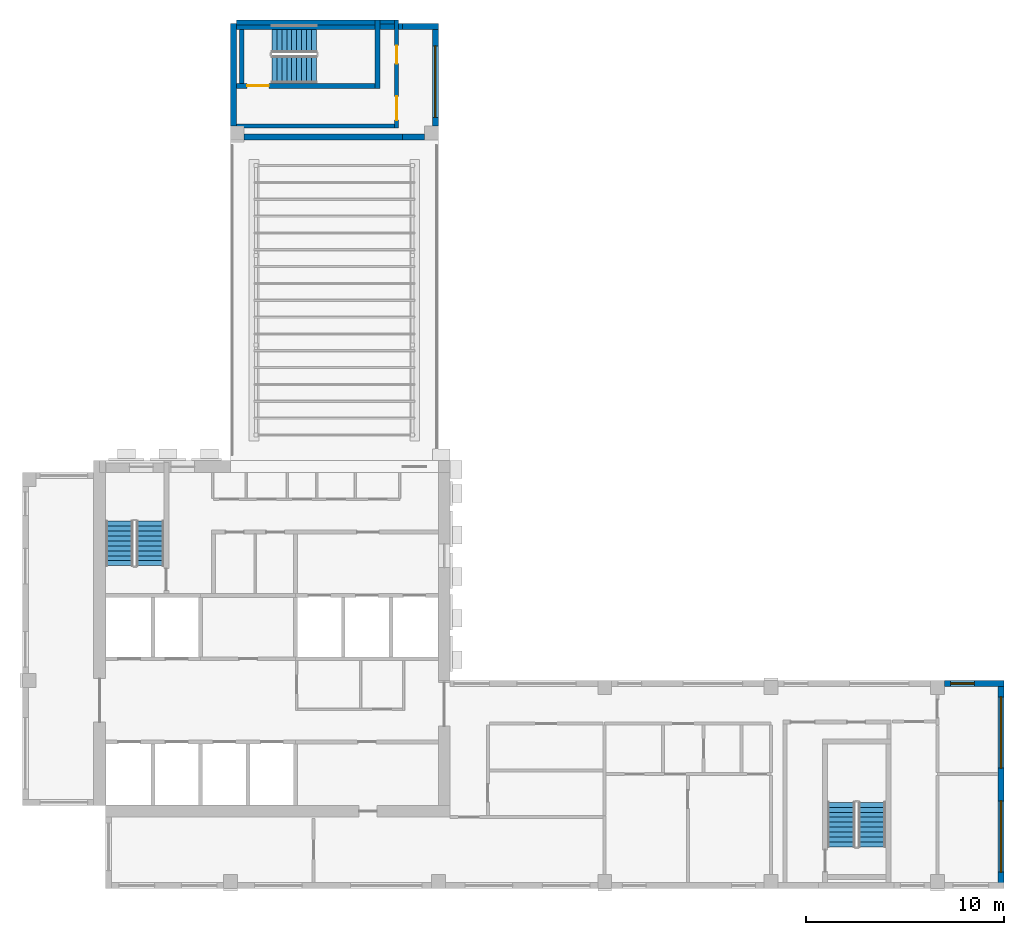
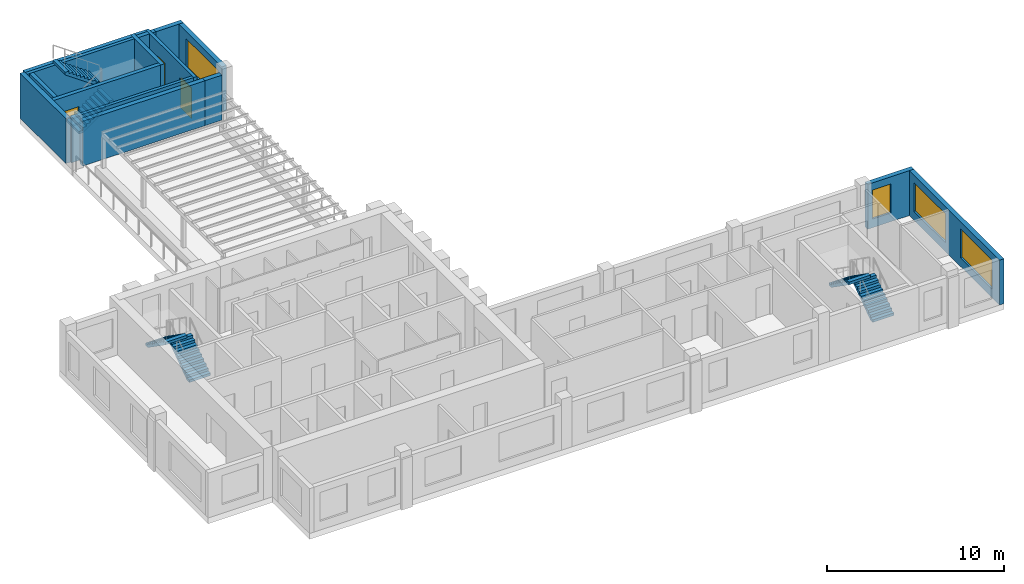
# One storey, part 5 of 9: 15 walls, 6 stair flights, 4 windows, 3 doors, 7 openings, 3 elements without a shape of their own.
"""IFC4 building model written with IfcOpenShell, lengths in metres."""

from ifc_helpers import new_model, si_unit, direction, frame, frame_2d, origin, place, context, subcontext, project, spatial, polyline, rectangle, outline, extrude, source, transform, mapped, material, layer, layer_set, type_object, element, fill, aggregate, save


model = new_model("IFC4")

# Units and contexts
model_context = context("Model", 3, precision=1e-05, world=origin(), true_north=direction((0.0, 1.0)))
body_context = subcontext(model_context, "Body", "Model", "MODEL_VIEW")
ifc_project = project(units=[si_unit("LENGTHUNIT", "METRE"), si_unit("AREAUNIT", "SQUARE_METRE"), si_unit("VOLUMEUNIT", "CUBIC_METRE"), si_unit("PLANEANGLEUNIT", "RADIAN"), si_unit("MASSUNIT", "GRAM", prefix="KILO")], contexts=[model_context])

# Site, building, storey
site_placement = place(None, origin())
site = spatial("IfcSite", under=ifc_project, at=site_placement, CompositionType="ELEMENT")
building_placement = place(site_placement, origin())
building = spatial("IfcBuilding", under=site, at=building_placement, Name="Aurelian Terraces", CompositionType="ELEMENT")
storey_placement = place(building_placement, frame((0.0, 0.0, 309.0)))
storey = spatial("IfcBuildingStorey", under=building, at=storey_placement, Name="L71", CompositionType="ELEMENT", Elevation=309.0)

# Wall
ifc_material_1 = material(Name="Terracotta rainscreen cladding", Category="masonry")
ifc_layer_1 = layer(ifc_material_1, 0.3)
ifc_layer_set_1 = layer_set([ifc_layer_1], Name="EW-300")
wall_type_1 = type_object("IfcWallType", Name="EW-300", PredefinedType="STANDARD", material=ifc_layer_set_1)
wall_1_placement = place(storey_placement, frame((19.2, 37.95, 0.0), z_axis=(0.0, 0.0, 1.0), x_axis=(1.0, 0.0, 0.0)))
element("IfcWall", 1, at=wall_1_placement, inside=storey, type_object=wall_type_1, Name="External wall L71 F15.21", PredefinedType="STANDARD", context=body_context, shape_type="SweptSolid", body=[
    extrude(rectangle(XDim=1.1, YDim=0.3, at=frame_2d((0.55, 0.0))), origin(), (0.0, 0.0, 1.0), 3.1),
])

# Wall, opening, window
wall_2_placement = place(storey_placement, frame((20.85, 38.5, 0.0), z_axis=(0.0, 0.0, 1.0), x_axis=(0.0, 1.0, 0.0)))
wall_2 = element("IfcWall", 2, at=wall_2_placement, inside=storey, type_object=wall_type_1, Name="External wall L71 F16.22", PredefinedType="STANDARD", context=body_context, shape_type="SweptSolid", body=[
    extrude(rectangle(XDim=5.18, YDim=0.3, at=frame_2d((2.59, 0.0))), origin(), (0.0, 0.0, 1.0), 3.1),
])
shared_shape_1 = source(origin(), body_context, "Body", "SweptSolid", [
    extrude(rectangle(XDim=3.6, YDim=2.0, at=frame_2d((1.8, 1.0))), frame((0.0, 0.16, 0.0), z_axis=(0.0, -1.0, 0.0), x_axis=(1.0, 0.0, 0.0)), (0.0, 0.0, 1.0), 0.32),
])
opening_1_placement = place(wall_2_placement, frame((0.44, 0.0, 0.6)))
opening_1 = element("IfcOpeningElement", 3, at=opening_1_placement, cuts=wall_2, Name="Opening W3620", PredefinedType="OPENING", context=body_context, shape_type="MappedRepresentation", body=[
    mapped(shared_shape_1, transform((0.0, 0.0, 0.0), scale=1.0)),
])
ifc_material_2 = material(Name="Clear glazing", Category="glass")
window_type_1 = type_object("IfcWindowType", Name="W-3600x2000", PartitioningType="SINGLE_PANEL", PredefinedType="WINDOW", material=ifc_material_2)
shared_shape_2 = source(origin(), body_context, "Body", "SweptSolid", [
    extrude(rectangle(XDim=3.6, YDim=2.0, at=frame_2d((1.8, 1.0))), frame((0.0, 0.03, 0.0), z_axis=(0.0, -1.0, 0.0), x_axis=(1.0, 0.0, 0.0)), (0.0, 0.0, 1.0), 0.06),
])
window_1_placement = place(opening_1_placement, origin())
window_1 = element("IfcWindow", 4, at=window_1_placement, inside=storey, type_object=window_type_1, Name="Window L71 L71-F16-22-0", OverallHeight=2.0, OverallWidth=3.6, PartitioningType="SINGLE_PANEL", PredefinedType="WINDOW", context=body_context, shape_type="MappedRepresentation", body=[
    mapped(shared_shape_2, transform((0.0, 0.0, 0.0), scale=1.0)),
])
fill(opening_1, window_1)

# Walls
ifc_material_3 = material(Name="Concrete fc' 40 MPa", Category="concrete")
ifc_layer_2 = layer(ifc_material_3, 0.3)
ifc_layer_set_2 = layer_set([ifc_layer_2], Name="STAIR BAY WALL 300")
wall_type_2 = type_object("IfcWallType", Name="STAIR BAY WALL 300", PredefinedType="SOLIDWALL", material=ifc_layer_set_2)
wall_3_placement = place(storey_placement, frame((11.2, 37.95, 0.0), z_axis=(0.0, 0.0, 1.0), x_axis=(1.0, 0.0, 0.0)))
element("IfcWall", 5, at=wall_3_placement, inside=storey, type_object=wall_type_2, Name="Stair bay wall L71 F15.21", PredefinedType="SOLIDWALL", context=body_context, shape_type="SweptSolid", body=[
    extrude(rectangle(XDim=8.0, YDim=0.3, at=frame_2d((4.0, 0.0))), origin(), (0.0, 0.0, 1.0), 3.1),
])
wall_4_placement = place(storey_placement, frame((10.65, 43.68, 0.0), z_axis=(0.0, 0.0, 1.0), x_axis=(0.0, -1.0, 0.0)))
element("IfcWall", 6, at=wall_4_placement, inside=storey, type_object=wall_type_2, Name="Stair bay wall L71 F18.24", PredefinedType="SOLIDWALL", context=body_context, shape_type="SweptSolid", body=[
    extrude(rectangle(XDim=5.18, YDim=0.3, at=frame_2d((2.59, 0.0))), origin(), (0.0, 0.0, 1.0), 3.1),
])

# Wall, opening, window
shared_shape_3 = source(origin(), body_context, "Body", "SweptSolid", [
    extrude(rectangle(XDim=3.01, YDim=0.3, at=frame_2d((1.505, 0.0))), origin(), (0.0, 0.0, 1.0), 3.1),
])
wall_5_placement = place(storey_placement, frame((49.56, 10.35, 0.0), z_axis=(0.0, 0.0, 1.0), x_axis=(-1.0, 0.0, 0.0)))
wall_5 = element("IfcWall", 7, at=wall_5_placement, inside=storey, type_object=wall_type_1, Name="External wall L71 F03.8", PredefinedType="STANDARD", context=body_context, shape_type="MappedRepresentation", body=[
    mapped(shared_shape_3, transform((0.0, 0.0, 0.0), scale=1.0)),
])
shared_shape_4 = source(origin(), body_context, "Body", "SweptSolid", [
    extrude(rectangle(XDim=1.2, YDim=2.0, at=frame_2d((0.6, 1.0))), frame((0.0, 0.16, 0.0), z_axis=(0.0, -1.0, 0.0), x_axis=(1.0, 0.0, 0.0)), (0.0, 0.0, 1.0), 0.32),
])
opening_2_placement = place(wall_5_placement, frame((1.5, 0.0, 0.6)))
opening_2 = element("IfcOpeningElement", 8, at=opening_2_placement, cuts=wall_5, Name="Opening W1220", PredefinedType="OPENING", context=body_context, shape_type="MappedRepresentation", body=[
    mapped(shared_shape_4, transform((0.0, 0.0, 0.0), scale=1.0)),
])
window_type_2 = type_object("IfcWindowType", Name="W-1200x2000", PartitioningType="SINGLE_PANEL", PredefinedType="WINDOW", material=ifc_material_2)
shared_shape_5 = source(origin(), body_context, "Body", "SweptSolid", [
    extrude(rectangle(XDim=1.2, YDim=2.0, at=frame_2d((0.6, 1.0))), frame((0.0, 0.03, 0.0), z_axis=(0.0, -1.0, 0.0), x_axis=(1.0, 0.0, 0.0)), (0.0, 0.0, 1.0), 0.06),
])
window_2_placement = place(opening_2_placement, origin())
window_2 = element("IfcWindow", 9, at=window_2_placement, inside=storey, type_object=window_type_2, Name="Window L71 L71-F03-08-0", OverallHeight=2.0, OverallWidth=1.2, PartitioningType="SINGLE_PANEL", PredefinedType="WINDOW", context=body_context, shape_type="MappedRepresentation", body=[
    mapped(shared_shape_5, transform((0.0, 0.0, 0.0), scale=1.0)),
])
fill(opening_2, window_2)

# Wall, openings, windows
shared_shape_6 = source(origin(), body_context, "Body", "SweptSolid", [
    extrude(rectangle(XDim=10.5, YDim=0.3, at=frame_2d((5.25, 0.0))), origin(), (0.0, 0.0, 1.0), 3.1),
])
wall_6_placement = place(storey_placement, frame((49.41, 0.0, 0.0), z_axis=(0.0, 0.0, 1.0), x_axis=(0.0, 1.0, 0.0)))
wall_6 = element("IfcWall", 10, at=wall_6_placement, inside=storey, type_object=wall_type_1, Name="External wall L71 F02.7", PredefinedType="STANDARD", context=body_context, shape_type="MappedRepresentation", body=[
    mapped(shared_shape_6, transform((0.0, 0.0, 0.0), scale=1.0)),
])
opening_3_placement = place(wall_6_placement, frame((0.825, 0.0, 0.6)))
opening_3 = element("IfcOpeningElement", 11, at=opening_3_placement, cuts=wall_6, Name="Opening W3620", PredefinedType="OPENING", context=body_context, shape_type="MappedRepresentation", body=[
    mapped(shared_shape_1, transform((0.0, 0.0, 0.0), scale=1.0)),
])
opening_4_placement = place(wall_6_placement, frame((6.075, 0.0, 0.6)))
opening_4 = element("IfcOpeningElement", 12, at=opening_4_placement, cuts=wall_6, Name="Opening W3620", PredefinedType="OPENING", context=body_context, shape_type="MappedRepresentation", body=[
    mapped(shared_shape_1, transform((0.0, 0.0, 0.0), scale=1.0)),
])
window_3_placement = place(opening_3_placement, origin())
window_3 = element("IfcWindow", 13, at=window_3_placement, inside=storey, type_object=window_type_1, Name="Window L71 L71-F02-07-0", OverallHeight=2.0, OverallWidth=3.6, PartitioningType="SINGLE_PANEL", PredefinedType="WINDOW", context=body_context, shape_type="MappedRepresentation", body=[
    mapped(shared_shape_2, transform((0.0, 0.0, 0.0), scale=1.0)),
])
fill(opening_3, window_3)
window_4_placement = place(opening_4_placement, origin())
window_4 = element("IfcWindow", 14, at=window_4_placement, inside=storey, type_object=window_type_1, Name="Window L71 L71-F02-07-1", OverallHeight=2.0, OverallWidth=3.6, PartitioningType="SINGLE_PANEL", PredefinedType="WINDOW", context=body_context, shape_type="MappedRepresentation", body=[
    mapped(shared_shape_2, transform((0.0, 0.0, 0.0), scale=1.0)),
])
fill(opening_4, window_4)

# Walls
shared_shape_7 = source(origin(), body_context, "Body", "SweptSolid", [
    extrude(rectangle(XDim=1.8, YDim=0.3, at=frame_2d((0.9, 0.0))), origin(), (0.0, 0.0, 1.0), 3.1),
])
wall_7_placement = place(storey_placement, frame((21.0, 43.53, 0.0), z_axis=(0.0, 0.0, 1.0), x_axis=(-1.0, 0.0, 0.0)))
element("IfcWall", 15, at=wall_7_placement, inside=storey, type_object=wall_type_1, Name="External wall L71 F17.23", PredefinedType="STANDARD", context=body_context, shape_type="MappedRepresentation", body=[
    mapped(shared_shape_7, transform((0.0, 0.0, 0.0), scale=1.0)),
])
shared_shape_8 = source(origin(), body_context, "Body", "SweptSolid", [
    extrude(rectangle(XDim=8.6, YDim=0.3, at=frame_2d((4.3, 0.0))), origin(), (0.0, 0.0, 1.0), 3.1),
])
wall_8_placement = place(storey_placement, frame((19.2, 43.53, 0.0), z_axis=(0.0, 0.0, 1.0), x_axis=(-1.0, 0.0, 0.0)))
element("IfcWall", 16, at=wall_8_placement, inside=storey, type_object=wall_type_2, Name="Stair bay wall L71 F17.23", PredefinedType="SOLIDWALL", context=body_context, shape_type="MappedRepresentation", body=[
    mapped(shared_shape_8, transform((0.0, 0.0, 0.0), scale=1.0)),
])

# Wall, opening, door
ifc_layer_3 = layer(ifc_material_3, 0.25)
ifc_layer_set_3 = layer_set([ifc_layer_3], Name="Stair enclosure wall 250")
wall_type_3 = type_object("IfcWallType", Name="Stair enclosure wall 250", PredefinedType="SOLIDWALL", material=ifc_layer_set_3)
shared_shape_9 = source(origin(), body_context, "Body", "SweptSolid", [
    extrude(rectangle(XDim=7.0, YDim=0.25, at=frame_2d((3.5, 0.0))), origin(), (0.0, 0.0, 1.0), 3.1),
])
wall_9_placement = place(storey_placement, frame((10.8, 40.525, 0.0), z_axis=(0.0, 0.0, 1.0), x_axis=(1.0, 0.0, 0.0)))
wall_9 = element("IfcWall", 17, at=wall_9_placement, inside=storey, type_object=wall_type_3, Name="L71 core wall ST-S3U-W", PredefinedType="SOLIDWALL", context=body_context, shape_type="MappedRepresentation", body=[
    mapped(shared_shape_9, transform((0.0, 0.0, 0.0), scale=1.0)),
])
shared_shape_10 = source(origin(), body_context, "Body", "SweptSolid", [
    extrude(rectangle(XDim=1.1, YDim=2.1, at=frame_2d((0.55, 1.05))), frame((0.0, 0.135, 0.0), z_axis=(0.0, -1.0, 0.0), x_axis=(1.0, 0.0, 0.0)), (0.0, 0.0, 1.0), 0.27),
])
opening_5_placement = place(wall_9_placement, frame((0.55, 0.0, 0.0)))
opening_5 = element("IfcOpeningElement", 18, at=opening_5_placement, cuts=wall_9, Name="Opening 67425", PredefinedType="OPENING", context=body_context, shape_type="MappedRepresentation", body=[
    mapped(shared_shape_10, transform((0.0, 0.0, 0.0), scale=1.0)),
])
ifc_material_4 = material(Name="Steel door leaf", Category="steel")
door_type_1 = type_object("IfcDoorType", Name="Core fire door 1100x2100 right", OperationType="SINGLE_SWING_RIGHT", PredefinedType="DOOR", material=ifc_material_4)
shared_shape_11 = source(origin(), body_context, "Body", "SweptSolid", [
    extrude(rectangle(XDim=1.1, YDim=2.1, at=frame_2d((0.55, 1.05))), frame((0.0, 0.025, 0.0), z_axis=(0.0, -1.0, 0.0), x_axis=(1.0, 0.0, 0.0)), (0.0, 0.0, 1.0), 0.05),
])
door_1_placement = place(opening_5_placement, origin())
door_1 = element("IfcDoor", 19, at=door_1_placement, inside=storey, type_object=door_type_1, Name="Stair door 67425", OperationType="SINGLE_SWING_RIGHT", OverallHeight=2.1, OverallWidth=1.1, PredefinedType="DOOR", context=body_context, shape_type="MappedRepresentation", body=[
    mapped(shared_shape_11, transform((0.0, 0.0, 0.0), scale=1.0)),
])
fill(opening_5, door_1)

# Walls
wall_10_placement = place(storey_placement, frame((10.8, 43.725, 0.0), z_axis=(0.0, 0.0, 1.0), x_axis=(1.0, 0.0, 0.0)))
element("IfcWall", 20, at=wall_10_placement, inside=storey, type_object=wall_type_3, Name="L71 core wall ST-S3U-E", PredefinedType="SOLIDWALL", context=body_context, shape_type="MappedRepresentation", body=[
    mapped(shared_shape_9, transform((0.0, 0.0, 0.0), scale=1.0)),
])
shared_shape_12 = source(origin(), body_context, "Body", "SweptSolid", [
    extrude(rectangle(XDim=3.45, YDim=0.25, at=frame_2d((1.725, 0.0))), origin(), (0.0, 0.0, 1.0), 3.1),
])
wall_11_placement = place(storey_placement, frame((17.925, 40.4, 0.0), z_axis=(0.0, 0.0, 1.0), x_axis=(0.0, 1.0, 0.0)))
element("IfcWall", 21, at=wall_11_placement, inside=storey, type_object=wall_type_3, Name="L71 core wall ST-S3U-N", PredefinedType="SOLIDWALL", context=body_context, shape_type="MappedRepresentation", body=[
    mapped(shared_shape_12, transform((0.0, 0.0, 0.0), scale=1.0)),
])
ifc_material_5 = material(Name="Gypsum board on steel studs", Category="steel")
ifc_layer_4 = layer(ifc_material_5, 0.2)
ifc_layer_set_4 = layer_set([ifc_layer_4], Name="Core partition 200")
wall_type_4 = type_object("IfcWallType", Name="Core partition 200", PredefinedType="PARTITIONING", material=ifc_layer_set_4)
shared_shape_13 = source(origin(), body_context, "Body", "SweptSolid", [
    extrude(rectangle(XDim=8.0, YDim=0.2, at=frame_2d((4.0, 0.0))), origin(), (0.0, 0.0, 1.0), 3.1),
])
wall_12_placement = place(storey_placement, frame((10.8, 38.5, 0.0), z_axis=(0.0, 0.0, 1.0), x_axis=(1.0, 0.0, 0.0)))
element("IfcWall", 22, at=wall_12_placement, inside=storey, type_object=wall_type_4, Name="L71 core wall ST-S3U-VW", PredefinedType="PARTITIONING", context=body_context, shape_type="MappedRepresentation", body=[
    mapped(shared_shape_13, transform((0.0, 0.0, 0.0), scale=1.0)),
])

# Wall, openings, doors
shared_shape_14 = source(origin(), body_context, "Body", "SweptSolid", [
    extrude(rectangle(XDim=5.45, YDim=0.2, at=frame_2d((2.725, 0.0))), origin(), (0.0, 0.0, 1.0), 3.1),
])
wall_13_placement = place(storey_placement, frame((18.9, 38.4, 0.0), z_axis=(0.0, 0.0, 1.0), x_axis=(0.0, 1.0, 0.0)))
wall_13 = element("IfcWall", 23, at=wall_13_placement, inside=storey, type_object=wall_type_4, Name="L71 core wall ST-S3U-BN", PredefinedType="PARTITIONING", context=body_context, shape_type="MappedRepresentation", body=[
    mapped(shared_shape_14, transform((0.0, 0.0, 0.0), scale=1.0)),
])
shared_shape_15 = source(origin(), body_context, "Body", "SweptSolid", [
    extrude(rectangle(XDim=1.2, YDim=2.1, at=frame_2d((0.6, 1.05))), frame((0.0, 0.11, 0.0), z_axis=(0.0, -1.0, 0.0), x_axis=(1.0, 0.0, 0.0)), (0.0, 0.0, 1.0), 0.22),
])
opening_6_placement = place(wall_13_placement, frame((0.4, 0.0, 0.0)))
opening_6 = element("IfcOpeningElement", 24, at=opening_6_placement, cuts=wall_13, Name="Opening 67426", PredefinedType="OPENING", context=body_context, shape_type="MappedRepresentation", body=[
    mapped(shared_shape_15, transform((0.0, 0.0, 0.0), scale=1.0)),
])
shared_shape_16 = source(origin(), body_context, "Body", "SweptSolid", [
    extrude(rectangle(XDim=0.9, YDim=2.1, at=frame_2d((0.45, 1.05))), frame((0.0, 0.11, 0.0), z_axis=(0.0, -1.0, 0.0), x_axis=(1.0, 0.0, 0.0)), (0.0, 0.0, 1.0), 0.22),
])
opening_7_placement = place(wall_13_placement, frame((3.25, 0.0, 0.0)))
opening_7 = element("IfcOpeningElement", 25, at=opening_7_placement, cuts=wall_13, Name="Opening 67427", PredefinedType="OPENING", context=body_context, shape_type="MappedRepresentation", body=[
    mapped(shared_shape_16, transform((0.0, 0.0, 0.0), scale=1.0)),
])
door_type_2 = type_object("IfcDoorType", Name="Core riser door 900x2100 right", OperationType="SINGLE_SWING_RIGHT", PredefinedType="DOOR", material=ifc_material_4)
shared_shape_17 = source(origin(), body_context, "Body", "SweptSolid", [
    extrude(rectangle(XDim=0.9, YDim=2.1, at=frame_2d((0.45, 1.05))), frame((0.0, 0.025, 0.0), z_axis=(0.0, -1.0, 0.0), x_axis=(1.0, 0.0, 0.0)), (0.0, 0.0, 1.0), 0.05),
])
door_2_placement = place(opening_7_placement, origin())
door_2 = element("IfcDoor", 26, at=door_2_placement, inside=storey, type_object=door_type_2, Name="Riser door 67427", OperationType="SINGLE_SWING_RIGHT", OverallHeight=2.1, OverallWidth=0.9, PredefinedType="DOOR", context=body_context, shape_type="MappedRepresentation", body=[
    mapped(shared_shape_17, transform((0.0, 0.0, 0.0), scale=1.0)),
])
fill(opening_7, door_2)
door_type_3 = type_object("IfcDoorType", Name="Core fire door 1200x2100", OperationType="SINGLE_SWING_LEFT", PredefinedType="DOOR", material=ifc_material_4)
shared_shape_18 = source(origin(), body_context, "Body", "SweptSolid", [
    extrude(rectangle(XDim=1.2, YDim=2.1, at=frame_2d((0.6, 1.05))), frame((0.0, 0.025, 0.0), z_axis=(0.0, -1.0, 0.0), x_axis=(1.0, 0.0, 0.0)), (0.0, 0.0, 1.0), 0.05),
])
door_3_placement = place(opening_6_placement, origin())
door_3 = element("IfcDoor", 27, at=door_3_placement, inside=storey, type_object=door_type_3, Name="Vestibule door 67426", OperationType="SINGLE_SWING_LEFT", OverallHeight=2.1, OverallWidth=1.2, PredefinedType="DOOR", context=body_context, shape_type="MappedRepresentation", body=[
    mapped(shared_shape_18, transform((0.0, 0.0, 0.0), scale=1.0)),
])
fill(opening_6, door_3)

# Walls
shared_shape_19 = source(origin(), body_context, "Body", "SweptSolid", [
    extrude(rectangle(XDim=0.75, YDim=0.2, at=frame_2d((0.375, 0.0))), origin(), (0.0, 0.0, 1.0), 3.1),
])
wall_14_placement = place(storey_placement, frame((18.05, 43.75, 0.0), z_axis=(0.0, 0.0, 1.0), x_axis=(1.0, 0.0, 0.0)))
element("IfcWall", 28, at=wall_14_placement, inside=storey, type_object=wall_type_4, Name="L71 core wall ST-S3U-RE", PredefinedType="PARTITIONING", context=body_context, shape_type="MappedRepresentation", body=[
    mapped(shared_shape_19, transform((0.0, 0.0, 0.0), scale=1.0)),
])
shared_shape_20 = source(origin(), body_context, "Body", "SweptSolid", [
    extrude(rectangle(XDim=2.73, YDim=0.25, at=frame_2d((1.365, 0.0))), origin(), (0.0, 0.0, 1.0), 3.1),
])
wall_15_placement = place(storey_placement, frame((11.075, 40.65, 0.0), z_axis=(0.0, 0.0, 1.0), x_axis=(0.0, 1.0, 0.0)))
element("IfcWall", 29, at=wall_15_placement, inside=storey, type_object=wall_type_3, Name="L71 core wall ST-S3U-SS", PredefinedType="SOLIDWALL", context=body_context, shape_type="MappedRepresentation", body=[
    mapped(shared_shape_20, transform((0.0, 0.0, 0.0), scale=1.0)),
])

# Stair, stair flights
stair_type = type_object("IfcStairType", Name="Stair 1400", PredefinedType="HALF_TURN_STAIR", material=ifc_material_3)
stair_1_placement = place(storey_placement, origin())
stair_1 = element("IfcStair", 30, at=stair_1_placement, inside=storey, type_object=stair_type, Name="L71 S1", PredefinedType="HALF_TURN_STAIR")
stair_flight_type = type_object("IfcStairFlightType", Name="Stair flight 1400", PredefinedType="STRAIGHT", material=ifc_material_3)
shared_shape_21 = source(origin(), body_context, "Body", "SweptSolid", [
    extrude(outline(polyline([(0.0, 0.0), (0.0, 0.175), (0.25, 0.175), (0.25, 0.35), (0.5, 0.35), (0.5, 0.525), (0.75, 0.525), (0.75, 0.7), (1.0, 0.7), (1.0, 0.875), (1.25, 0.875), (1.25, 1.05), (1.5, 1.05), (1.5, 1.225), (1.75, 1.225), (1.75, 1.4), (2.0, 1.4), (2.0, 1.575), (2.25, 1.575), (2.25, 1.75), (2.25, 1.3919), (0.2616, 0.0), (0.0, 0.0)])), frame((0.0, 0.7, 0.0), z_axis=(0.0, -1.0, 0.0), x_axis=(1.0, 0.0, 0.0)), (0.0, 0.0, 1.0), 1.4),
])
stair_flight_1_placement = place(storey_placement, frame((6.45, 16.3, 2e-08), z_axis=(0.0, 0.0, 1.0), x_axis=(0.0, 1.0, 0.0)))
stair_flight_1 = element("IfcStairFlight", 31, at=stair_flight_1_placement, type_object=stair_flight_type, Name="S1 flight 1", NumberOfRisers=10, NumberOfTreads=9, PredefinedType="STRAIGHT", RiserHeight=0.175, TreadLength=0.25, context=body_context, shape_type="MappedRepresentation", body=[
    mapped(shared_shape_21, transform((0.0, 0.0, 0.0), scale=1.0)),
])
stair_flight_2_placement = place(storey_placement, frame((4.9, 18.55, 1.75000002), z_axis=(0.0, 0.0, 1.0), x_axis=(0.0, -1.0, 0.0)))
stair_flight_2 = element("IfcStairFlight", 32, at=stair_flight_2_placement, type_object=stair_flight_type, Name="S1 flight 2", NumberOfRisers=10, NumberOfTreads=9, PredefinedType="STRAIGHT", RiserHeight=0.175, TreadLength=0.25, context=body_context, shape_type="MappedRepresentation", body=[
    mapped(shared_shape_21, transform((0.0, 0.0, 0.0), scale=1.0)),
])
aggregate(stair_1, [stair_flight_1, stair_flight_2])

stair_2_placement = place(storey_placement, origin())
stair_2 = element("IfcStair", 33, at=stair_2_placement, inside=storey, type_object=stair_type, Name="L71 S2", PredefinedType="HALF_TURN_STAIR")
stair_flight_3_placement = place(storey_placement, frame((42.9, 2.1, 2e-08), z_axis=(0.0, 0.0, 1.0), x_axis=(0.0, 1.0, 0.0)))
stair_flight_3 = element("IfcStairFlight", 34, at=stair_flight_3_placement, type_object=stair_flight_type, Name="S2 flight 1", NumberOfRisers=10, NumberOfTreads=9, PredefinedType="STRAIGHT", RiserHeight=0.175, TreadLength=0.25, context=body_context, shape_type="MappedRepresentation", body=[
    mapped(shared_shape_21, transform((0.0, 0.0, 0.0), scale=1.0)),
])
stair_flight_4_placement = place(storey_placement, frame((41.35, 4.35, 1.75000002), z_axis=(0.0, 0.0, 1.0), x_axis=(0.0, -1.0, 0.0)))
stair_flight_4 = element("IfcStairFlight", 35, at=stair_flight_4_placement, type_object=stair_flight_type, Name="S2 flight 2", NumberOfRisers=10, NumberOfTreads=9, PredefinedType="STRAIGHT", RiserHeight=0.175, TreadLength=0.25, context=body_context, shape_type="MappedRepresentation", body=[
    mapped(shared_shape_21, transform((0.0, 0.0, 0.0), scale=1.0)),
])
aggregate(stair_2, [stair_flight_3, stair_flight_4])

stair_3_placement = place(storey_placement, origin())
stair_3 = element("IfcStair", 36, at=stair_3_placement, inside=storey, type_object=stair_type, Name="L71 S3U", PredefinedType="HALF_TURN_STAIR")
stair_flight_5_placement = place(storey_placement, frame((12.6, 41.35, 2e-08), z_axis=(0.0, 0.0, 1.0), x_axis=(1.0, 0.0, 0.0)))
stair_flight_5 = element("IfcStairFlight", 37, at=stair_flight_5_placement, type_object=stair_flight_type, Name="S3U flight 1", NumberOfRisers=10, NumberOfTreads=9, PredefinedType="STRAIGHT", RiserHeight=0.175, TreadLength=0.25, context=body_context, shape_type="MappedRepresentation", body=[
    mapped(shared_shape_21, transform((0.0, 0.0, 0.0), scale=1.0)),
])
stair_flight_6_placement = place(storey_placement, frame((14.85, 42.9, 1.75000002), z_axis=(0.0, 0.0, 1.0), x_axis=(-1.0, 0.0, 0.0)))
stair_flight_6 = element("IfcStairFlight", 38, at=stair_flight_6_placement, type_object=stair_flight_type, Name="S3U flight 2", NumberOfRisers=10, NumberOfTreads=9, PredefinedType="STRAIGHT", RiserHeight=0.175, TreadLength=0.25, context=body_context, shape_type="MappedRepresentation", body=[
    mapped(shared_shape_21, transform((0.0, 0.0, 0.0), scale=1.0)),
])
aggregate(stair_3, [stair_flight_5, stair_flight_6])

save(model, "model.ifc")
